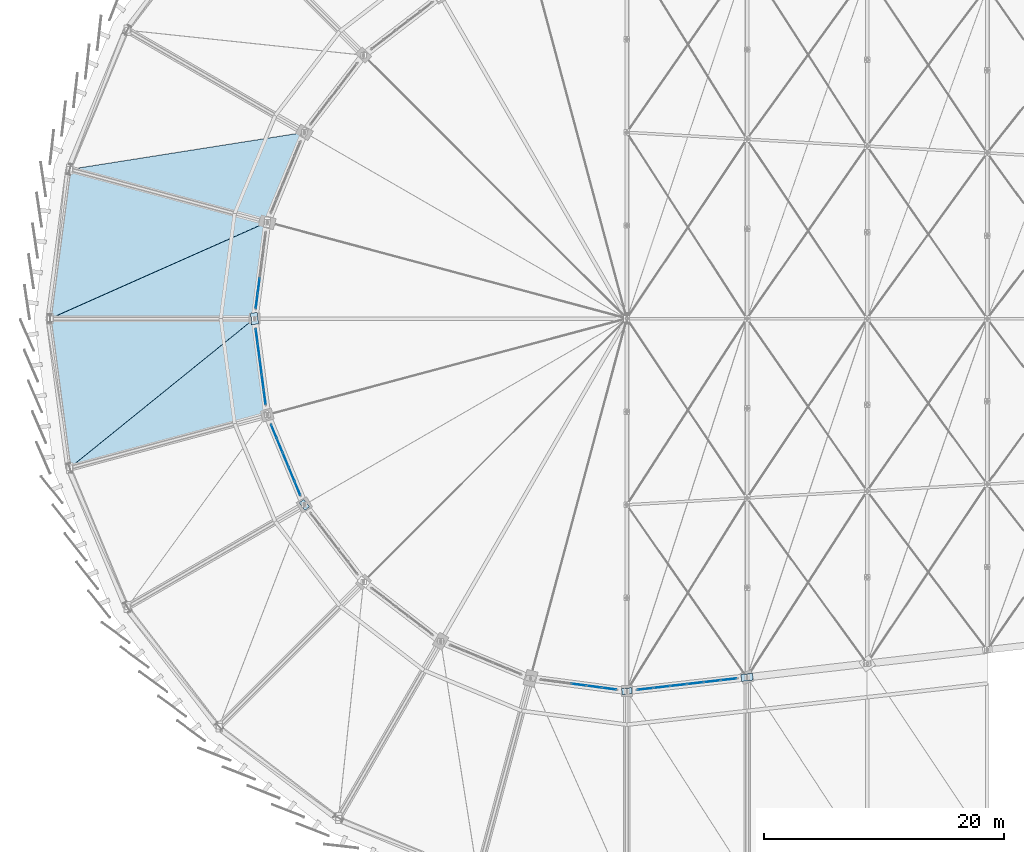
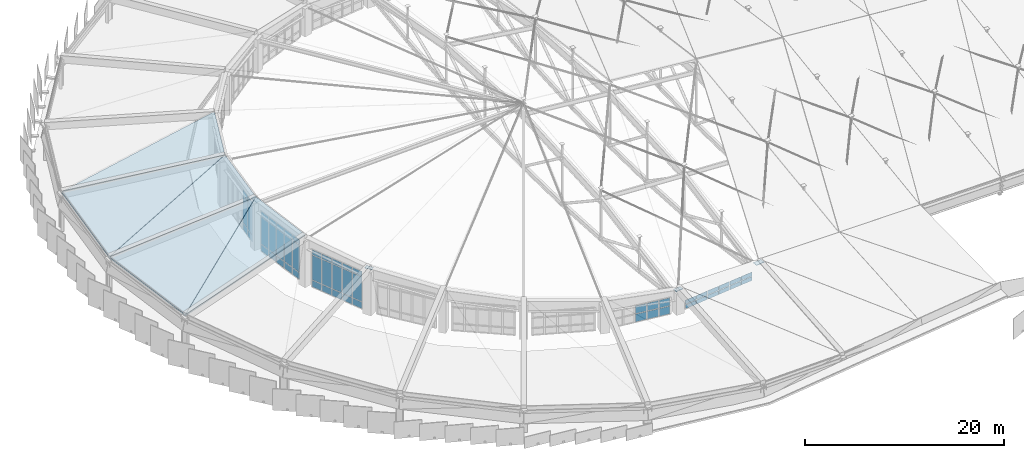
# One storey, part 54 of 68: 58 plates, 5 slabs, 5 elements without a shape of their own.
"""IFC4 building model written with IfcOpenShell, lengths in metres."""

from ifc_helpers import new_model, si_unit, direction, frame, origin, origin_2d, place, context, subcontext, project, spatial, polyline, rectangle, outline, extrude, material, layer, layer_set, type_object, element, aggregate, save


model = new_model("IFC4")

# Units and contexts
model_context = context("Model", 3, precision=1e-05, world=origin(), true_north=direction((0.0, 1.0)))
body_context = subcontext(model_context, "Body", "Model", "MODEL_VIEW")
ifc_project = project(units=[si_unit("LENGTHUNIT", "METRE"), si_unit("AREAUNIT", "SQUARE_METRE"), si_unit("VOLUMEUNIT", "CUBIC_METRE"), si_unit("PLANEANGLEUNIT", "RADIAN"), si_unit("MASSUNIT", "GRAM", prefix="KILO")], contexts=[model_context])

# Site, building, storey
site_placement = place(None, origin())
site = spatial("IfcSite", under=ifc_project, at=site_placement, CompositionType="ELEMENT")
building_placement = place(site_placement, origin())
building = spatial("IfcBuilding", under=site, at=building_placement, Name="Sohan Crest Arena", CompositionType="ELEMENT")
storey_placement = place(building_placement, frame((0.0, 0.0, 27.0)))
storey = spatial("IfcBuildingStorey", under=building, at=storey_placement, Name="RF", CompositionType="ELEMENT", Elevation=27.0)

# Curtain wall, plates
ifc_material_1 = material(Name="Thermally broken anodised aluminium", Category="aluminium")
ifc_layer_1 = layer(ifc_material_1, 0.18994140625, Name="Thermally broken anodised aluminium")
ifc_layer_set_1 = layer_set([ifc_layer_1], Name="Thermally broken anodised aluminium")
curtain_wall_type = type_object("IfcCurtainWallType", Name="ARC-CW05", PredefinedType="NOTDEFINED", material=ifc_layer_set_1)
curtain_wall_1_placement = place(storey_placement, origin())
curtain_wall_1 = element("IfcCurtainWall", 1, at=curtain_wall_1_placement, inside=storey, type_object=curtain_wall_type, Name="Unitised curtain wall CW-175", PredefinedType="NOTDEFINED")
ifc_material_2 = material(Name="Ceramic-fritted solar-control insulated glass", Category="glass")
ifc_layer_2 = layer(ifc_material_2, 0.035888671875, Name="Ceramic-fritted solar-control insulated glass")
ifc_layer_set_2 = layer_set([ifc_layer_2], Name="Ceramic-fritted solar-control insulated glass")
plate_type_1 = type_object("IfcPlateType", Name="ARC-CNP03", PredefinedType="CURTAIN_PANEL", material=ifc_layer_set_2)
plate_1_placement = place(storey_placement, frame((67.359619140625, 80.732177734375, 0.06494140625), z_axis=(0.0, 0.0, 1.0), x_axis=(-0.130498613419, -0.991448491802, 0.0)))
plate_1 = element("IfcPlate", 2, at=plate_1_placement, type_object=plate_type_1, Name="CW-175 panel 4.1", PredefinedType="CURTAIN_PANEL", context=body_context, shape_type="SweptSolid", body=[
    extrude(rectangle(XDim=1.220458984375, YDim=0.035888671875, at=origin_2d()), origin(), (0.0, 0.0, 1.0), 0.802490234375),
])
plate_2_placement = place(storey_placement, frame((67.359619140625, 80.732177734375, 0.9326171875), z_axis=(0.0, 0.0, 1.0), x_axis=(-0.130498613419, -0.991448491802, 0.0)))
plate_2 = element("IfcPlate", 3, at=plate_2_placement, type_object=plate_type_1, Name="CW-175 panel 4.2", PredefinedType="CURTAIN_PANEL", context=body_context, shape_type="SweptSolid", body=[
    extrude(rectangle(XDim=1.220458984375, YDim=0.035888671875, at=origin_2d()), origin(), (0.0, 0.0, 1.0), 3.31494140625),
])
plate_3_placement = place(storey_placement, frame((67.359619140625, 80.732177734375, 4.3125), z_axis=(0.0, 0.0, 1.0), x_axis=(-0.130498613419, -0.991448491802, 0.0)))
plate_3 = element("IfcPlate", 4, at=plate_3_placement, type_object=plate_type_1, Name="CW-175 panel 4.3", PredefinedType="CURTAIN_PANEL", context=body_context, shape_type="SweptSolid", body=[
    extrude(rectangle(XDim=1.220458984375, YDim=0.035888671875, at=origin_2d()), origin(), (0.0, 0.0, 1.0), 0.6025390625),
])
plate_4_placement = place(storey_placement, frame((67.193603515625, 79.469970703125, 0.06494140625), z_axis=(0.0, 0.0, 1.0), x_axis=(-0.130498613419, -0.991448491802, 0.0)))
plate_4 = element("IfcPlate", 5, at=plate_4_placement, type_object=plate_type_1, Name="CW-175 panel 5.1", PredefinedType="CURTAIN_PANEL", context=body_context, shape_type="SweptSolid", body=[
    extrude(rectangle(XDim=1.185546875, YDim=0.035888671875, at=origin_2d()), origin(), (0.0, 0.0, 1.0), 0.802490234375),
])
plate_5_placement = place(storey_placement, frame((67.193603515625, 79.469970703125, 0.9326171875), z_axis=(0.0, 0.0, 1.0), x_axis=(-0.130498613419, -0.991448491802, 0.0)))
plate_5 = element("IfcPlate", 6, at=plate_5_placement, type_object=plate_type_1, Name="CW-175 panel 5.2", PredefinedType="CURTAIN_PANEL", context=body_context, shape_type="SweptSolid", body=[
    extrude(rectangle(XDim=1.185546875, YDim=0.035888671875, at=origin_2d()), origin(), (0.0, 0.0, 1.0), 3.31494140625),
])
plate_6_placement = place(storey_placement, frame((67.193603515625, 79.469970703125, 4.3125), z_axis=(0.0, 0.0, 1.0), x_axis=(-0.130498613419, -0.991448491802, 0.0)))
plate_6 = element("IfcPlate", 7, at=plate_6_placement, type_object=plate_type_1, Name="CW-175 panel 5.3", PredefinedType="CURTAIN_PANEL", context=body_context, shape_type="SweptSolid", body=[
    extrude(rectangle(XDim=1.185546875, YDim=0.035888671875, at=origin_2d()), origin(), (0.0, 0.0, 1.0), 0.6025390625),
])
aggregate(curtain_wall_1, [plate_1, plate_2, plate_3, plate_4, plate_5, plate_6])

curtain_wall_2_placement = place(storey_placement, origin())
curtain_wall_2 = element("IfcCurtainWall", 8, at=curtain_wall_2_placement, inside=storey, type_object=curtain_wall_type, Name="Unitised curtain wall CW-177", PredefinedType="NOTDEFINED")
plate_7_placement = place(storey_placement, frame((67.193603515625, 76.530029296875, 0.06494140625), z_axis=(0.0, 0.0, 1.0), x_axis=(0.130498613419, -0.991448491802, 0.0)))
plate_7 = element("IfcPlate", 9, at=plate_7_placement, type_object=plate_type_1, Name="CW-177 panel 1.1", PredefinedType="CURTAIN_PANEL", context=body_context, shape_type="SweptSolid", body=[
    extrude(rectangle(XDim=1.185546875, YDim=0.035888671875, at=origin_2d()), origin(), (0.0, 0.0, 1.0), 0.802490234375),
])
plate_8_placement = place(storey_placement, frame((67.193603515625, 76.530029296875, 0.9326171875), z_axis=(0.0, 0.0, 1.0), x_axis=(0.130498613419, -0.991448491802, 0.0)))
plate_8 = element("IfcPlate", 10, at=plate_8_placement, type_object=plate_type_1, Name="CW-177 panel 1.2", PredefinedType="CURTAIN_PANEL", context=body_context, shape_type="SweptSolid", body=[
    extrude(rectangle(XDim=1.185546875, YDim=0.035888671875, at=origin_2d()), origin(), (0.0, 0.0, 1.0), 3.31494140625),
])
plate_9_placement = place(storey_placement, frame((67.193603515625, 76.530029296875, 4.3125), z_axis=(0.0, 0.0, 1.0), x_axis=(0.130498613419, -0.991448491802, 0.0)))
plate_9 = element("IfcPlate", 11, at=plate_9_placement, type_object=plate_type_1, Name="CW-177 panel 1.3", PredefinedType="CURTAIN_PANEL", context=body_context, shape_type="SweptSolid", body=[
    extrude(rectangle(XDim=1.185546875, YDim=0.035888671875, at=origin_2d()), origin(), (0.0, 0.0, 1.0), 0.6025390625),
])
plate_10_placement = place(storey_placement, frame((67.359619140625, 75.267822265625, 0.06494140625), z_axis=(0.0, 0.0, 1.0), x_axis=(0.130498613419, -0.991448491802, 0.0)))
plate_10 = element("IfcPlate", 12, at=plate_10_placement, type_object=plate_type_1, Name="CW-177 panel 2.1", PredefinedType="CURTAIN_PANEL", context=body_context, shape_type="SweptSolid", body=[
    extrude(rectangle(XDim=1.220458984375, YDim=0.035888671875, at=origin_2d()), origin(), (0.0, 0.0, 1.0), 0.802490234375),
])
plate_11_placement = place(storey_placement, frame((67.359619140625, 75.267822265625, 0.9326171875), z_axis=(0.0, 0.0, 1.0), x_axis=(0.130498613419, -0.991448491802, 0.0)))
plate_11 = element("IfcPlate", 13, at=plate_11_placement, type_object=plate_type_1, Name="CW-177 panel 2.2", PredefinedType="CURTAIN_PANEL", context=body_context, shape_type="SweptSolid", body=[
    extrude(rectangle(XDim=1.220458984375, YDim=0.035888671875, at=origin_2d()), origin(), (0.0, 0.0, 1.0), 3.31494140625),
])
plate_12_placement = place(storey_placement, frame((67.359619140625, 75.267822265625, 4.3125), z_axis=(0.0, 0.0, 1.0), x_axis=(0.130498613419, -0.991448491802, 0.0)))
plate_12 = element("IfcPlate", 14, at=plate_12_placement, type_object=plate_type_1, Name="CW-177 panel 2.3", PredefinedType="CURTAIN_PANEL", context=body_context, shape_type="SweptSolid", body=[
    extrude(rectangle(XDim=1.220458984375, YDim=0.035888671875, at=origin_2d()), origin(), (0.0, 0.0, 1.0), 0.6025390625),
])
plate_13_placement = place(storey_placement, frame((67.528076171875, 73.988525390625, 0.06494140625), z_axis=(0.0, 0.0, 1.0), x_axis=(0.130498613419, -0.991448491802, 0.0)))
plate_13 = element("IfcPlate", 15, at=plate_13_placement, type_object=plate_type_1, Name="CW-177 panel 3.1", PredefinedType="CURTAIN_PANEL", context=body_context, shape_type="SweptSolid", body=[
    extrude(rectangle(XDim=1.220458984375, YDim=0.035888671875, at=origin_2d()), origin(), (0.0, 0.0, 1.0), 0.802490234375),
])
plate_14_placement = place(storey_placement, frame((67.528076171875, 73.988525390625, 0.9326171875), z_axis=(0.0, 0.0, 1.0), x_axis=(0.130498613419, -0.991448491802, 0.0)))
plate_14 = element("IfcPlate", 16, at=plate_14_placement, type_object=plate_type_1, Name="CW-177 panel 3.2", PredefinedType="CURTAIN_PANEL", context=body_context, shape_type="SweptSolid", body=[
    extrude(rectangle(XDim=1.220458984375, YDim=0.035888671875, at=origin_2d()), origin(), (0.0, 0.0, 1.0), 3.31494140625),
])
plate_15_placement = place(storey_placement, frame((67.528076171875, 73.988525390625, 4.3125), z_axis=(0.0, 0.0, 1.0), x_axis=(0.130498613419, -0.991448491802, 0.0)))
plate_15 = element("IfcPlate", 17, at=plate_15_placement, type_object=plate_type_1, Name="CW-177 panel 3.3", PredefinedType="CURTAIN_PANEL", context=body_context, shape_type="SweptSolid", body=[
    extrude(rectangle(XDim=1.220458984375, YDim=0.035888671875, at=origin_2d()), origin(), (0.0, 0.0, 1.0), 0.6025390625),
])
plate_16_placement = place(storey_placement, frame((67.6962890625, 72.708984375, 0.06494140625), z_axis=(0.0, 0.0, 1.0), x_axis=(0.130498613419, -0.991448491802, 0.0)))
plate_16 = element("IfcPlate", 18, at=plate_16_placement, type_object=plate_type_1, Name="CW-177 panel 4.1", PredefinedType="CURTAIN_PANEL", context=body_context, shape_type="SweptSolid", body=[
    extrude(rectangle(XDim=1.220458984375, YDim=0.035888671875, at=origin_2d()), origin(), (0.0, 0.0, 1.0), 0.802490234375),
])
plate_17_placement = place(storey_placement, frame((67.6962890625, 72.708984375, 0.9326171875), z_axis=(0.0, 0.0, 1.0), x_axis=(0.130498613419, -0.991448491802, 0.0)))
plate_17 = element("IfcPlate", 19, at=plate_17_placement, type_object=plate_type_1, Name="CW-177 panel 4.2", PredefinedType="CURTAIN_PANEL", context=body_context, shape_type="SweptSolid", body=[
    extrude(rectangle(XDim=1.220458984375, YDim=0.035888671875, at=origin_2d()), origin(), (0.0, 0.0, 1.0), 3.31494140625),
])
plate_18_placement = place(storey_placement, frame((67.6962890625, 72.708984375, 4.3125), z_axis=(0.0, 0.0, 1.0), x_axis=(0.130498613419, -0.991448491802, 0.0)))
plate_18 = element("IfcPlate", 20, at=plate_18_placement, type_object=plate_type_1, Name="CW-177 panel 4.3", PredefinedType="CURTAIN_PANEL", context=body_context, shape_type="SweptSolid", body=[
    extrude(rectangle(XDim=1.220458984375, YDim=0.035888671875, at=origin_2d()), origin(), (0.0, 0.0, 1.0), 0.6025390625),
])
plate_19_placement = place(storey_placement, frame((67.862548828125, 71.447021484375, 0.06494140625), z_axis=(0.0, 0.0, 1.0), x_axis=(0.130498613419, -0.991448491802, 0.0)))
plate_19 = element("IfcPlate", 21, at=plate_19_placement, type_object=plate_type_1, Name="CW-177 panel 5.1", PredefinedType="CURTAIN_PANEL", context=body_context, shape_type="SweptSolid", body=[
    extrude(rectangle(XDim=1.185546875, YDim=0.035888671875, at=origin_2d()), origin(), (0.0, 0.0, 1.0), 0.802490234375),
])
plate_20_placement = place(storey_placement, frame((67.862548828125, 71.447021484375, 0.9326171875), z_axis=(0.0, 0.0, 1.0), x_axis=(0.130498613419, -0.991448491802, 0.0)))
plate_20 = element("IfcPlate", 22, at=plate_20_placement, type_object=plate_type_1, Name="CW-177 panel 5.2", PredefinedType="CURTAIN_PANEL", context=body_context, shape_type="SweptSolid", body=[
    extrude(rectangle(XDim=1.185546875, YDim=0.035888671875, at=origin_2d()), origin(), (0.0, 0.0, 1.0), 3.31494140625),
])
plate_21_placement = place(storey_placement, frame((67.862548828125, 71.447021484375, 4.3125), z_axis=(0.0, 0.0, 1.0), x_axis=(0.130498613419, -0.991448491802, 0.0)))
plate_21 = element("IfcPlate", 23, at=plate_21_placement, type_object=plate_type_1, Name="CW-177 panel 5.3", PredefinedType="CURTAIN_PANEL", context=body_context, shape_type="SweptSolid", body=[
    extrude(rectangle(XDim=1.185546875, YDim=0.035888671875, at=origin_2d()), origin(), (0.0, 0.0, 1.0), 0.6025390625),
])
aggregate(curtain_wall_2, [plate_7, plate_8, plate_9, plate_10, plate_11, plate_12, plate_13, plate_14, plate_15, plate_16, plate_17, plate_18, plate_19, plate_20, plate_21])

curtain_wall_3_placement = place(storey_placement, origin())
curtain_wall_3 = element("IfcCurtainWall", 24, at=curtain_wall_3_placement, inside=storey, type_object=curtain_wall_type, Name="Unitised curtain wall CW-179", PredefinedType="NOTDEFINED")
plate_22_placement = place(storey_placement, frame((68.62353515625, 68.606689453125, 0.06494140625), z_axis=(0.0, 0.0, 1.0), x_axis=(0.382666625357, -0.923886494023, 0.0)))
plate_22 = element("IfcPlate", 25, at=plate_22_placement, type_object=plate_type_1, Name="CW-179 panel 1.1", PredefinedType="CURTAIN_PANEL", context=body_context, shape_type="SweptSolid", body=[
    extrude(rectangle(XDim=1.185302734375, YDim=0.035888671875, at=origin_2d()), origin(), (0.0, 0.0, 1.0), 0.802490234375),
])
plate_23_placement = place(storey_placement, frame((68.62353515625, 68.606689453125, 0.9326171875), z_axis=(0.0, 0.0, 1.0), x_axis=(0.382666625357, -0.923886494023, 0.0)))
plate_23 = element("IfcPlate", 26, at=plate_23_placement, type_object=plate_type_1, Name="CW-179 panel 1.2", PredefinedType="CURTAIN_PANEL", context=body_context, shape_type="SweptSolid", body=[
    extrude(rectangle(XDim=1.185302734375, YDim=0.035888671875, at=origin_2d()), origin(), (0.0, 0.0, 1.0), 3.02099609375),
])
plate_24_placement = place(storey_placement, frame((68.62353515625, 68.606689453125, 4.0185546875), z_axis=(0.0, 0.0, 1.0), x_axis=(0.382666625357, -0.923886494023, 0.0)))
plate_24 = element("IfcPlate", 27, at=plate_24_placement, type_object=plate_type_1, Name="CW-179 panel 1.3", PredefinedType="CURTAIN_PANEL", context=body_context, shape_type="SweptSolid", body=[
    extrude(rectangle(XDim=1.185302734375, YDim=0.035888671875, at=origin_2d()), origin(), (0.0, 0.0, 1.0), 0.6025390625),
])
plate_25_placement = place(storey_placement, frame((69.110595703125, 67.4306640625, 0.06494140625), z_axis=(0.0, 0.0, 1.0), x_axis=(0.382666625357, -0.923886494023, 0.0)))
plate_25 = element("IfcPlate", 28, at=plate_25_placement, type_object=plate_type_1, Name="CW-179 panel 2.1", PredefinedType="CURTAIN_PANEL", context=body_context, shape_type="SweptSolid", body=[
    extrude(rectangle(XDim=1.220458984375, YDim=0.035888671875, at=origin_2d()), origin(), (0.0, 0.0, 1.0), 0.802490234375),
])
plate_26_placement = place(storey_placement, frame((69.110595703125, 67.4306640625, 0.9326171875), z_axis=(0.0, 0.0, 1.0), x_axis=(0.382666625357, -0.923886494023, 0.0)))
plate_26 = element("IfcPlate", 29, at=plate_26_placement, type_object=plate_type_1, Name="CW-179 panel 2.2", PredefinedType="CURTAIN_PANEL", context=body_context, shape_type="SweptSolid", body=[
    extrude(rectangle(XDim=1.220458984375, YDim=0.035888671875, at=origin_2d()), origin(), (0.0, 0.0, 1.0), 3.02099609375),
])
plate_27_placement = place(storey_placement, frame((69.110595703125, 67.4306640625, 4.0185546875), z_axis=(0.0, 0.0, 1.0), x_axis=(0.382666625357, -0.923886494023, 0.0)))
plate_27 = element("IfcPlate", 30, at=plate_27_placement, type_object=plate_type_1, Name="CW-179 panel 2.3", PredefinedType="CURTAIN_PANEL", context=body_context, shape_type="SweptSolid", body=[
    extrude(rectangle(XDim=1.220458984375, YDim=0.035888671875, at=origin_2d()), origin(), (0.0, 0.0, 1.0), 0.6025390625),
])
plate_28_placement = place(storey_placement, frame((69.6044921875, 66.238525390625, 0.06494140625), z_axis=(0.0, 0.0, 1.0), x_axis=(0.382666625357, -0.923886494023, 0.0)))
plate_28 = element("IfcPlate", 31, at=plate_28_placement, type_object=plate_type_1, Name="CW-179 panel 3.1", PredefinedType="CURTAIN_PANEL", context=body_context, shape_type="SweptSolid", body=[
    extrude(rectangle(XDim=1.220458984375, YDim=0.035888671875, at=origin_2d()), origin(), (0.0, 0.0, 1.0), 0.802490234375),
])
plate_29_placement = place(storey_placement, frame((69.6044921875, 66.238525390625, 0.9326171875), z_axis=(0.0, 0.0, 1.0), x_axis=(0.382666625357, -0.923886494023, 0.0)))
plate_29 = element("IfcPlate", 32, at=plate_29_placement, type_object=plate_type_1, Name="CW-179 panel 3.2", PredefinedType="CURTAIN_PANEL", context=body_context, shape_type="SweptSolid", body=[
    extrude(rectangle(XDim=1.220458984375, YDim=0.035888671875, at=origin_2d()), origin(), (0.0, 0.0, 1.0), 3.02099609375),
])
plate_30_placement = place(storey_placement, frame((69.6044921875, 66.238525390625, 4.0185546875), z_axis=(0.0, 0.0, 1.0), x_axis=(0.382666625357, -0.923886494023, 0.0)))
plate_30 = element("IfcPlate", 33, at=plate_30_placement, type_object=plate_type_1, Name="CW-179 panel 3.3", PredefinedType="CURTAIN_PANEL", context=body_context, shape_type="SweptSolid", body=[
    extrude(rectangle(XDim=1.220458984375, YDim=0.035888671875, at=origin_2d()), origin(), (0.0, 0.0, 1.0), 0.6025390625),
])
plate_31_placement = place(storey_placement, frame((70.098388671875, 65.04638671875, 0.06494140625), z_axis=(0.0, 0.0, 1.0), x_axis=(0.382666625357, -0.923886494023, 0.0)))
plate_31 = element("IfcPlate", 34, at=plate_31_placement, type_object=plate_type_1, Name="CW-179 panel 4.1", PredefinedType="CURTAIN_PANEL", context=body_context, shape_type="SweptSolid", body=[
    extrude(rectangle(XDim=1.220458984375, YDim=0.035888671875, at=origin_2d()), origin(), (0.0, 0.0, 1.0), 0.802490234375),
])
plate_32_placement = place(storey_placement, frame((70.098388671875, 65.04638671875, 0.9326171875), z_axis=(0.0, 0.0, 1.0), x_axis=(0.382666625357, -0.923886494023, 0.0)))
plate_32 = element("IfcPlate", 35, at=plate_32_placement, type_object=plate_type_1, Name="CW-179 panel 4.2", PredefinedType="CURTAIN_PANEL", context=body_context, shape_type="SweptSolid", body=[
    extrude(rectangle(XDim=1.220458984375, YDim=0.035888671875, at=origin_2d()), origin(), (0.0, 0.0, 1.0), 3.02099609375),
])
plate_33_placement = place(storey_placement, frame((70.098388671875, 65.04638671875, 4.0185546875), z_axis=(0.0, 0.0, 1.0), x_axis=(0.382666625357, -0.923886494023, 0.0)))
plate_33 = element("IfcPlate", 36, at=plate_33_placement, type_object=plate_type_1, Name="CW-179 panel 4.3", PredefinedType="CURTAIN_PANEL", context=body_context, shape_type="SweptSolid", body=[
    extrude(rectangle(XDim=1.220458984375, YDim=0.035888671875, at=origin_2d()), origin(), (0.0, 0.0, 1.0), 0.6025390625),
])
plate_34_placement = place(storey_placement, frame((70.58544921875, 63.870361328125, 0.06494140625), z_axis=(0.0, 0.0, 1.0), x_axis=(0.382666625357, -0.923886494023, 0.0)))
plate_34 = element("IfcPlate", 37, at=plate_34_placement, type_object=plate_type_1, Name="CW-179 panel 5.1", PredefinedType="CURTAIN_PANEL", context=body_context, shape_type="SweptSolid", body=[
    extrude(rectangle(XDim=1.185302734375, YDim=0.035888671875, at=origin_2d()), origin(), (0.0, 0.0, 1.0), 0.802490234375),
])
plate_35_placement = place(storey_placement, frame((70.58544921875, 63.870361328125, 0.9326171875), z_axis=(0.0, 0.0, 1.0), x_axis=(0.382666625357, -0.923886494023, 0.0)))
plate_35 = element("IfcPlate", 38, at=plate_35_placement, type_object=plate_type_1, Name="CW-179 panel 5.2", PredefinedType="CURTAIN_PANEL", context=body_context, shape_type="SweptSolid", body=[
    extrude(rectangle(XDim=1.185302734375, YDim=0.035888671875, at=origin_2d()), origin(), (0.0, 0.0, 1.0), 3.02099609375),
])
plate_36_placement = place(storey_placement, frame((70.58544921875, 63.870361328125, 4.0185546875), z_axis=(0.0, 0.0, 1.0), x_axis=(0.382666625357, -0.923886494023, 0.0)))
plate_36 = element("IfcPlate", 39, at=plate_36_placement, type_object=plate_type_1, Name="CW-179 panel 5.3", PredefinedType="CURTAIN_PANEL", context=body_context, shape_type="SweptSolid", body=[
    extrude(rectangle(XDim=1.185302734375, YDim=0.035888671875, at=origin_2d()), origin(), (0.0, 0.0, 1.0), 0.6025390625),
])
aggregate(curtain_wall_3, [plate_22, plate_23, plate_24, plate_25, plate_26, plate_27, plate_28, plate_29, plate_30, plate_31, plate_32, plate_33, plate_34, plate_35, plate_36])

curtain_wall_4_placement = place(storey_placement, origin())
curtain_wall_4 = element("IfcCurtainWall", 40, at=curtain_wall_4_placement, inside=storey, type_object=curtain_wall_type, Name="Unitised curtain wall CW-187", PredefinedType="NOTDEFINED")
plate_37_placement = place(storey_placement, frame((93.988525390625, 47.528076171875, 0.06494140625), z_axis=(0.0, 0.0, 1.0), x_axis=(0.991448491802, -0.130498613419, 0.0)))
plate_37 = element("IfcPlate", 41, at=plate_37_placement, type_object=plate_type_1, Name="CW-187 panel 3.1", PredefinedType="CURTAIN_PANEL", context=body_context, shape_type="SweptSolid", body=[
    extrude(rectangle(XDim=1.220458984375, YDim=0.035888671875, at=origin_2d()), origin(), (0.0, 0.0, 1.0), 0.951416015625),
])
plate_38_placement = place(storey_placement, frame((93.988525390625, 47.528076171875, 1.08154296875), z_axis=(0.0, 0.0, 1.0), x_axis=(0.991448491802, -0.130498613419, 0.0)))
plate_38 = element("IfcPlate", 42, at=plate_38_placement, type_object=plate_type_1, Name="CW-187 panel 3.2", PredefinedType="CURTAIN_PANEL", context=body_context, shape_type="SweptSolid", body=[
    extrude(rectangle(XDim=1.220458984375, YDim=0.035888671875, at=origin_2d()), origin(), (0.0, 0.0, 1.0), 0.951416015625),
])
plate_39_placement = place(storey_placement, frame((95.267822265625, 47.359619140625, 0.06494140625), z_axis=(0.0, 0.0, 1.0), x_axis=(0.991448491802, -0.130498613419, 0.0)))
plate_39 = element("IfcPlate", 43, at=plate_39_placement, type_object=plate_type_1, Name="CW-187 panel 4.1", PredefinedType="CURTAIN_PANEL", context=body_context, shape_type="SweptSolid", body=[
    extrude(rectangle(XDim=1.220458984375, YDim=0.035888671875, at=origin_2d()), origin(), (0.0, 0.0, 1.0), 0.951416015625),
])
plate_40_placement = place(storey_placement, frame((95.267822265625, 47.359619140625, 1.08154296875), z_axis=(0.0, 0.0, 1.0), x_axis=(0.991448491802, -0.130498613419, 0.0)))
plate_40 = element("IfcPlate", 44, at=plate_40_placement, type_object=plate_type_1, Name="CW-187 panel 4.2", PredefinedType="CURTAIN_PANEL", context=body_context, shape_type="SweptSolid", body=[
    extrude(rectangle(XDim=1.220458984375, YDim=0.035888671875, at=origin_2d()), origin(), (0.0, 0.0, 1.0), 0.951416015625),
])
plate_41_placement = place(storey_placement, frame((96.530029296875, 47.193603515625, 0.06494140625), z_axis=(0.0, 0.0, 1.0), x_axis=(0.991448491802, -0.130498613419, 0.0)))
plate_41 = element("IfcPlate", 45, at=plate_41_placement, type_object=plate_type_1, Name="CW-187 panel 5.1", PredefinedType="CURTAIN_PANEL", context=body_context, shape_type="SweptSolid", body=[
    extrude(rectangle(XDim=1.185546875, YDim=0.035888671875, at=origin_2d()), origin(), (0.0, 0.0, 1.0), 0.951416015625),
])
plate_42_placement = place(storey_placement, frame((96.530029296875, 47.193603515625, 1.08154296875), z_axis=(0.0, 0.0, 1.0), x_axis=(0.991448491802, -0.130498613419, 0.0)))
plate_42 = element("IfcPlate", 46, at=plate_42_placement, type_object=plate_type_1, Name="CW-187 panel 5.2", PredefinedType="CURTAIN_PANEL", context=body_context, shape_type="SweptSolid", body=[
    extrude(rectangle(XDim=1.185546875, YDim=0.035888671875, at=origin_2d()), origin(), (0.0, 0.0, 1.0), 0.951416015625),
])
aggregate(curtain_wall_4, [plate_37, plate_38, plate_39, plate_40, plate_41, plate_42])

curtain_wall_5_placement = place(storey_placement, origin())
curtain_wall_5 = element("IfcCurtainWall", 47, at=curtain_wall_5_placement, inside=storey, type_object=curtain_wall_type, Name="Unitised curtain wall CW-189", PredefinedType="NOTDEFINED")
plate_43_placement = place(storey_placement, frame((99.52978515625, 47.1748046875, 0.06494140625), z_axis=(0.0, 0.0, 1.0), x_axis=(0.993526932422, 0.11359680696, 0.0)))
plate_43 = element("IfcPlate", 48, at=plate_43_placement, type_object=plate_type_1, Name="CW-189 panel 1.1", PredefinedType="CURTAIN_PANEL", context=body_context, shape_type="SweptSolid", body=[
    extrude(rectangle(XDim=1.299072265625, YDim=0.035888671875, at=origin_2d()), origin(), (0.0, 0.0, 1.0), 0.486572265625),
])
plate_44_placement = place(storey_placement, frame((99.52978515625, 47.1748046875, 0.6162109375), z_axis=(0.0, 0.0, 1.0), x_axis=(0.993526932422, 0.11359680696, 0.0)))
plate_44 = element("IfcPlate", 49, at=plate_44_placement, type_object=plate_type_1, Name="CW-189 panel 1.2", PredefinedType="CURTAIN_PANEL", context=body_context, shape_type="SweptSolid", body=[
    extrude(rectangle(XDim=1.299072265625, YDim=0.035888671875, at=origin_2d()), origin(), (0.0, 0.0, 1.0), 0.485595703125),
])
plate_45_placement = place(storey_placement, frame((100.907470703125, 47.332275390625, 0.06494140625), z_axis=(0.0, 0.0, 1.0), x_axis=(0.993526932422, 0.11359680696, 0.0)))
plate_45 = element("IfcPlate", 50, at=plate_45_placement, type_object=plate_type_1, Name="CW-189 panel 2.1", PredefinedType="CURTAIN_PANEL", context=body_context, shape_type="SweptSolid", body=[
    extrude(rectangle(XDim=1.333984375, YDim=0.035888671875, at=origin_2d()), origin(), (0.0, 0.0, 1.0), 0.486572265625),
])
plate_46_placement = place(storey_placement, frame((100.907470703125, 47.332275390625, 0.6162109375), z_axis=(0.0, 0.0, 1.0), x_axis=(0.993526932422, 0.11359680696, 0.0)))
plate_46 = element("IfcPlate", 51, at=plate_46_placement, type_object=plate_type_1, Name="CW-189 panel 2.2", PredefinedType="CURTAIN_PANEL", context=body_context, shape_type="SweptSolid", body=[
    extrude(rectangle(XDim=1.333984375, YDim=0.035888671875, at=origin_2d()), origin(), (0.0, 0.0, 1.0), 0.485595703125),
])
plate_47_placement = place(storey_placement, frame((102.302490234375, 47.49169921875, 0.06494140625), z_axis=(0.0, 0.0, 1.0), x_axis=(0.993526932422, 0.11359680696, 0.0)))
plate_47 = element("IfcPlate", 52, at=plate_47_placement, type_object=plate_type_1, Name="CW-189 panel 3.1", PredefinedType="CURTAIN_PANEL", context=body_context, shape_type="SweptSolid", body=[
    extrude(rectangle(XDim=1.333984375, YDim=0.035888671875, at=origin_2d()), origin(), (0.0, 0.0, 1.0), 0.486572265625),
])
plate_48_placement = place(storey_placement, frame((102.302490234375, 47.49169921875, 0.6162109375), z_axis=(0.0, 0.0, 1.0), x_axis=(0.993526932422, 0.11359680696, 0.0)))
plate_48 = element("IfcPlate", 53, at=plate_48_placement, type_object=plate_type_1, Name="CW-189 panel 3.2", PredefinedType="CURTAIN_PANEL", context=body_context, shape_type="SweptSolid", body=[
    extrude(rectangle(XDim=1.333984375, YDim=0.035888671875, at=origin_2d()), origin(), (0.0, 0.0, 1.0), 0.485595703125),
])
plate_49_placement = place(storey_placement, frame((103.697509765625, 47.6513671875, 0.06494140625), z_axis=(0.0, 0.0, 1.0), x_axis=(0.993526932422, 0.11359680696, 0.0)))
plate_49 = element("IfcPlate", 54, at=plate_49_placement, type_object=plate_type_1, Name="CW-189 panel 4.1", PredefinedType="CURTAIN_PANEL", context=body_context, shape_type="SweptSolid", body=[
    extrude(rectangle(XDim=1.333984375, YDim=0.035888671875, at=origin_2d()), origin(), (0.0, 0.0, 1.0), 0.486572265625),
])
plate_50_placement = place(storey_placement, frame((103.697509765625, 47.6513671875, 0.6162109375), z_axis=(0.0, 0.0, 1.0), x_axis=(0.993526932422, 0.11359680696, 0.0)))
plate_50 = element("IfcPlate", 55, at=plate_50_placement, type_object=plate_type_1, Name="CW-189 panel 4.2", PredefinedType="CURTAIN_PANEL", context=body_context, shape_type="SweptSolid", body=[
    extrude(rectangle(XDim=1.333984375, YDim=0.035888671875, at=origin_2d()), origin(), (0.0, 0.0, 1.0), 0.485595703125),
])
plate_51_placement = place(storey_placement, frame((105.092529296875, 47.810791015625, 0.06494140625), z_axis=(0.0, 0.0, 1.0), x_axis=(0.993526932422, 0.11359680696, 0.0)))
plate_51 = element("IfcPlate", 56, at=plate_51_placement, type_object=plate_type_1, Name="CW-189 panel 5.1", PredefinedType="CURTAIN_PANEL", context=body_context, shape_type="SweptSolid", body=[
    extrude(rectangle(XDim=1.333984375, YDim=0.035888671875, at=origin_2d()), origin(), (0.0, 0.0, 1.0), 0.486572265625),
])
plate_52_placement = place(storey_placement, frame((105.092529296875, 47.810791015625, 0.6162109375), z_axis=(0.0, 0.0, 1.0), x_axis=(0.993526932422, 0.11359680696, 0.0)))
plate_52 = element("IfcPlate", 57, at=plate_52_placement, type_object=plate_type_1, Name="CW-189 panel 5.2", PredefinedType="CURTAIN_PANEL", context=body_context, shape_type="SweptSolid", body=[
    extrude(rectangle(XDim=1.333984375, YDim=0.035888671875, at=origin_2d()), origin(), (0.0, 0.0, 1.0), 0.485595703125),
])
plate_53_placement = place(storey_placement, frame((106.47021484375, 47.96826171875, 0.06494140625), z_axis=(0.0, 0.0, 1.0), x_axis=(0.993526932422, 0.11359680696, 0.0)))
plate_53 = element("IfcPlate", 58, at=plate_53_placement, type_object=plate_type_1, Name="CW-189 panel 6.1", PredefinedType="CURTAIN_PANEL", context=body_context, shape_type="SweptSolid", body=[
    extrude(rectangle(XDim=1.299072265625, YDim=0.035888671875, at=origin_2d()), origin(), (0.0, 0.0, 1.0), 0.486572265625),
])
plate_54_placement = place(storey_placement, frame((106.47021484375, 47.96826171875, 0.6162109375), z_axis=(0.0, 0.0, 1.0), x_axis=(0.993526932422, 0.11359680696, 0.0)))
plate_54 = element("IfcPlate", 59, at=plate_54_placement, type_object=plate_type_1, Name="CW-189 panel 6.2", PredefinedType="CURTAIN_PANEL", context=body_context, shape_type="SweptSolid", body=[
    extrude(rectangle(XDim=1.299072265625, YDim=0.035888671875, at=origin_2d()), origin(), (0.0, 0.0, 1.0), 0.485595703125),
])
aggregate(curtain_wall_5, [plate_43, plate_44, plate_45, plate_46, plate_47, plate_48, plate_49, plate_50, plate_51, plate_52, plate_53, plate_54])

# Slabs
ifc_material_3 = material(Name="Concrete C40/50", Category="concrete")
ifc_layer_3 = layer(ifc_material_3, 0.195068359375, Name="Concrete C40/50")
ifc_layer_set_3 = layer_set([ifc_layer_3], Name="Concrete C40/50")
slab_type = type_object("IfcSlabType", Name="SL-RF02", PredefinedType="ROOF", material=ifc_layer_set_3)
slab_1_placement = place(storey_placement, frame((71.137939453125, 93.492919921875, 5.7900390625), z_axis=(-0.069121316275, 0.070630841293, 0.995104782369), x_axis=(-0.986167149081, -0.155473796109, -0.057465231206)))
element("IfcSlab", 60, at=slab_1_placement, inside=storey, type_object=slab_type, Name="Sloped roof deck panel RF-SL-058", PredefinedType="ROOF", context=body_context, shape_type="SweptSolid", body=[
    extrude(outline(polyline([(0.0, 0.0), (19.75124334845942, 2.3592239273284576e-16), (4.190099380705573, 6.9119886392759184), (0.0, 0.0)])), origin(), (0.0, 0.0, -1.0), 0.195068359375),
])
slab_2_placement = place(storey_placement, frame((68.032958984375, 86.02099609375, 6.10498046875), z_axis=(-0.082910159664, 0.019592759887, 0.99636440582), x_axis=(-0.962413682596, 0.257892053086, -0.085156282846)))
element("IfcSlab", 61, at=slab_2_placement, inside=storey, type_object=slab_type, Name="Sloped roof deck panel RF-SL-059", PredefinedType="ROOF", context=body_context, shape_type="SweptSolid", body=[
    extrude(outline(polyline([(0.0, 0.0), (17.026942973661264, 5.143455106271233e-16), (15.392034261262342, 12.398418877900673), (0.0, 0.0)])), origin(), (0.0, 0.0, -1.0), 0.195068359375),
])
slab_3_placement = place(storey_placement, frame((68.04296875, 86.011962890625, 6.10498046875), z_axis=(-0.085125620085, 0.024628727638, 0.996065788279), x_axis=(-0.911736618597, -0.405124317574, -0.067901587758)))
element("IfcSlab", 62, at=slab_3_placement, inside=storey, type_object=slab_type, Name="Sloped roof deck panel RF-SL-060", PredefinedType="ROOF", context=body_context, shape_type="SweptSolid", body=[
    extrude(outline(polyline([(0.0, 0.0), (19.764501242676417, 5.551115123125783e-17), (4.1974650205468444, 6.900513364041789), (0.0, 0.0)])), origin(), (0.0, 0.0, -1.0), 0.195068359375),
])
slab_4_placement = place(storey_placement, frame((66.97802734375, 77.991943359375, 6.212890625), z_axis=(-0.085134613573, -0.019884467371, 0.996171022229), x_axis=(-0.996368019697, 0.0, -0.08515144934)))
element("IfcSlab", 63, at=slab_4_placement, inside=storey, type_object=slab_type, Name="Sloped roof deck panel RF-SL-061", PredefinedType="ROOF", context=body_context, shape_type="SweptSolid", body=[
    extrude(outline(polyline([(0.0, 0.0), (17.02790948497241, 0.0), (15.409972780102718, 12.400400971059383), (0.0, 0.0)])), origin(), (0.0, 0.0, -1.0), 0.195068359375),
])
slab_5_placement = place(storey_placement, frame((66.989990234375, 77.986083984375, 6.212890625), z_axis=(-0.08168117918, -0.024179377797, 0.996365165317), x_axis=(-0.77518243427, -0.626808635748, -0.078759937473)))
element("IfcSlab", 64, at=slab_5_placement, inside=storey, type_object=slab_type, Name="Sloped roof deck panel RF-SL-062", PredefinedType="ROOF", context=body_context, shape_type="SweptSolid", body=[
    extrude(outline(polyline([(0.0, 0.0), (19.779870046901312, 3.8163916471489756e-16), (4.2103984741830525, 6.892629539923835), (0.0, 0.0)])), origin(), (0.0, 0.0, -1.0), 0.195068359375),
])

# Plates
ifc_material_4 = material(Name="Steel S355", Category="steel")
ifc_layer_4 = layer(ifc_material_4, 0.030029296875, Name="Steel S355")
ifc_layer_set_4 = layer_set([ifc_layer_4], Name="Steel S355")
plate_type_2 = type_object("IfcPlateType", Name="STR-PL-GP02", PredefinedType="USERDEFINED", material=ifc_layer_set_4)
plate_55_placement = place(storey_placement, frame((71.153076171875, 62.5, 5.44921875), z_axis=(0.0, 0.0, 1.0), x_axis=(-0.608761429009, 0.793353340291, 0.0)))
element("IfcPlate", 65, at=plate_55_placement, inside=storey, type_object=plate_type_2, Name="Ring beam node gusset plate GP-RB09", ObjectType="GUSSET PLATE", PredefinedType="USERDEFINED", context=body_context, shape_type="SweptSolid", body=[
    extrude(rectangle(XDim=0.780029296875, YDim=0.47998046875, at=origin_2d()), origin(), (0.0, 0.0, 1.0), 0.030029296875),
])
ifc_layer_5 = layer(ifc_material_4, 0.031982421875, Name="Steel S355")
ifc_layer_set_5 = layer_set([ifc_layer_5], Name="Steel S355")
plate_type_3 = type_object("IfcPlateType", Name="STR-PL-GP06", PredefinedType="USERDEFINED", material=ifc_layer_set_5)
plate_56_placement = place(storey_placement, frame((98.0, 47.0, 2.81494140625), z_axis=(0.0, 0.0, 1.0), x_axis=(0.993571855677, 0.113203213768, 0.0)))
element("IfcPlate", 66, at=plate_56_placement, inside=storey, type_object=plate_type_3, Name="Ring beam node gusset plate GP-RB13", ObjectType="GUSSET PLATE", PredefinedType="USERDEFINED", context=body_context, shape_type="SweptSolid", body=[
    extrude(rectangle(XDim=0.840087890625, YDim=0.5, at=origin_2d()), origin(), (0.0, 0.0, 1.0), 0.031982421875),
])
ifc_layer_6 = layer(ifc_material_4, 0.033935546875, Name="Steel S355")
ifc_layer_set_6 = layer_set([ifc_layer_6], Name="Steel S355")
plate_type_4 = type_object("IfcPlateType", Name="STR-PL-GP07", PredefinedType="USERDEFINED", material=ifc_layer_set_6)
for number, where, z_axis, x_axis, name in (
    (67, (67.0, 78.0, 5.8701171875), (0.0, 0.0, 1.0), (-0.13052619222, 0.991444861374, 0.0), "Ring beam node gusset plate GP-RB07"),
    (68, (108.0, 48.14306640625, 1.88623046875), (0.0, 0.0, 1.0), (0.993571855677, 0.113203213768, 0.0), "Ring beam node gusset plate GP-RB14"),
):
    element("IfcPlate", number, at=place(storey_placement, frame(where, z_axis=z_axis, x_axis=x_axis)), inside=storey, type_object=plate_type_4, Name=name, ObjectType="GUSSET PLATE", PredefinedType="USERDEFINED", context=body_context, shape_type="SweptSolid", body=[
        extrude(rectangle(XDim=0.9599609375, YDim=0.580078125, at=origin_2d()), origin(), (0.0, 0.0, 1.0), 0.033935546875),
    ])

save(model, "model.ifc")
